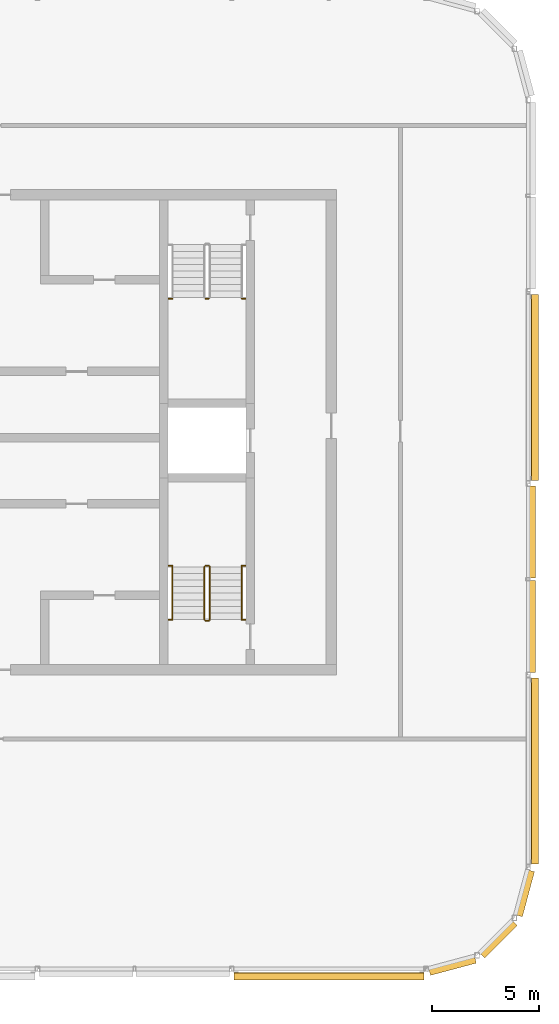
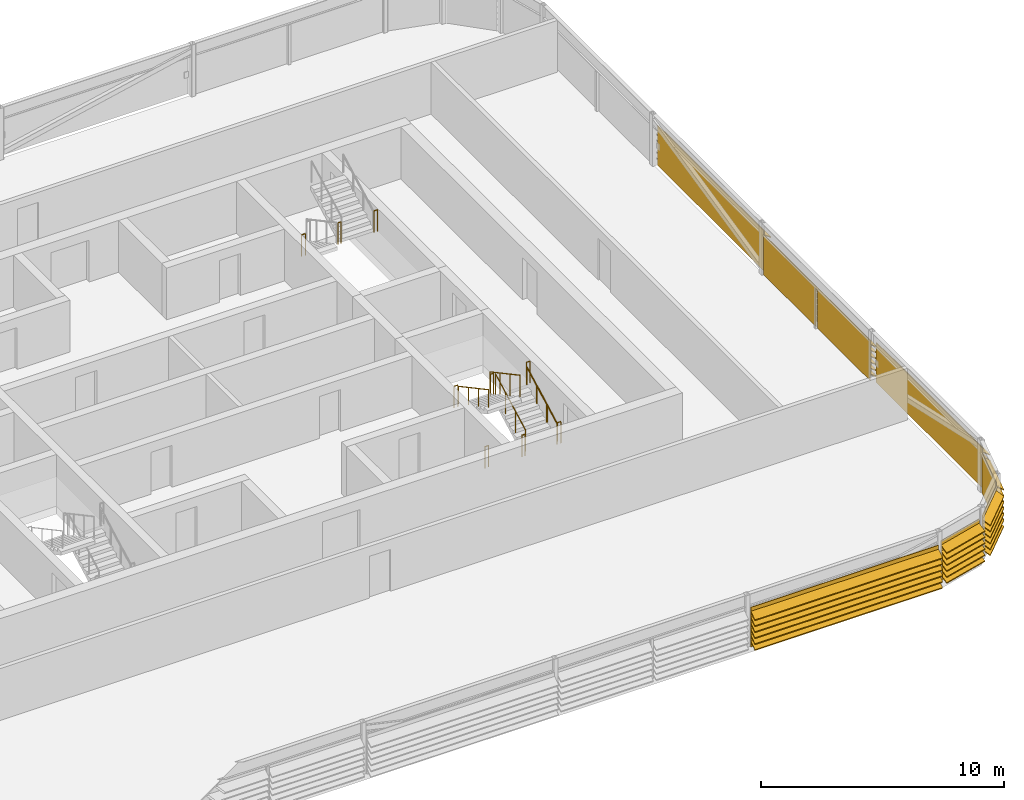
# One storey, part 25 of 27: 13 railings, 8 shading devices.
"""IFC4 building model written with IfcOpenShell, lengths in metres."""

from ifc_helpers import new_model, si_unit, direction, frame, origin, origin_2d, place, context, subcontext, project, spatial, polyline, circle, outline, extrude, material, type_object, element, save


model = new_model("IFC4")

# Units and contexts
model_context = context("Model", 3, precision=1e-05, world=origin(), true_north=direction((0.0, 1.0)))
body_context = subcontext(model_context, "Body", "Model", "MODEL_VIEW")
ifc_project = project(units=[si_unit("LENGTHUNIT", "METRE"), si_unit("AREAUNIT", "SQUARE_METRE"), si_unit("VOLUMEUNIT", "CUBIC_METRE"), si_unit("PLANEANGLEUNIT", "RADIAN"), si_unit("MASSUNIT", "GRAM", prefix="KILO")], contexts=[model_context])

# Site, building, storey
site_placement = place(None, origin())
site = spatial("IfcSite", under=ifc_project, at=site_placement, CompositionType="ELEMENT")
building_placement = place(site_placement, origin())
building = spatial("IfcBuilding", under=site, at=building_placement, Name="Madar Terraces", CompositionType="ELEMENT")
storey_placement = place(building_placement, frame((0.0, 0.0, 314.300048828125)))
storey = spatial("IfcBuildingStorey", under=building, at=storey_placement, Name="L81", CompositionType="ELEMENT", Elevation=314.300048828125)

# Shading devices
ifc_material_1 = material(Name="Aluminium, black anodised", Category="aluminium")
shading_device_type = type_object("IfcShadingDeviceType", Name="Crown louvre bank", PredefinedType="USERDEFINED", material=ifc_material_1)
shading_device_1_placement = place(storey_placement, frame((42.58154296875, 1.199951171875, 0.0), z_axis=(1.0, 0.0, 0.0), x_axis=(0.0, 1.0, 0.0)))
element("IfcShadingDevice", 1, at=shading_device_1_placement, inside=storey, type_object=shading_device_type, Name="LOUVRE bank L81 5.1", ObjectType="LOUVRE", PredefinedType="USERDEFINED", context=body_context, shape_type="SweptSolid", body=[
    extrude(outline(polyline([(-0.156982421875, 0.0), (-0.18701171875, 0.0), (-0.18701171875, 0.24951171875), (-0.5146484375, 0.02001953125), (-0.5146484375, 0.06884765625), (-0.18701171875, 0.29833984375), (-0.18701171875, 0.54931640625), (-0.5146484375, 0.320068359375), (-0.5146484375, 0.368896484375), (-0.18701171875, 0.59814453125), (-0.18701171875, 0.849365234375), (-0.5146484375, 0.6201171875), (-0.5146484375, 0.6689453125), (-0.18701171875, 0.898193359375), (-0.18701171875, 1.1494140625), (-0.5146484375, 0.919921875), (-0.5146484375, 0.96875), (-0.18701171875, 1.1982421875), (-0.18701171875, 1.449462890625), (-0.5146484375, 1.219970703125), (-0.5146484375, 1.268798828125), (-0.18701171875, 1.498291015625), (-0.18701171875, 1.74951171875), (-0.5146484375, 1.52001953125), (-0.5146484375, 1.56884765625), (-0.18701171875, 1.79833984375), (-0.18701171875, 1.998046875), (-0.156982421875, 1.998046875), (-0.156982421875, 0.0)])), origin(), (0.0, 0.0, 1.0), 8.916748046875),
])
shading_device_2_placement = place(storey_placement, frame((51.7265625, 1.23388671875, 0.0), z_axis=(0.965935304808, 0.258783668197, 0.0), x_axis=(-0.258783668197, 0.965935304808, 0.0)))
element("IfcShadingDevice", 2, at=shading_device_2_placement, inside=storey, type_object=shading_device_type, Name="LOUVRE bank L81 6.1", ObjectType="LOUVRE", PredefinedType="USERDEFINED", context=body_context, shape_type="SweptSolid", body=[
    extrude(outline(polyline([(0.014892578125, 0.0), (-0.014892578125, 0.0), (-0.014892578125, 0.24951171875), (-0.3427734375, 0.02001953125), (-0.3427734375, 0.06884765625), (-0.014892578125, 0.29833984375), (-0.014892578125, 0.54931640625), (-0.3427734375, 0.320068359375), (-0.3427734375, 0.368896484375), (-0.014892578125, 0.59814453125), (-0.014892578125, 0.849365234375), (-0.3427734375, 0.6201171875), (-0.3427734375, 0.6689453125), (-0.014892578125, 0.898193359375), (-0.014892578125, 1.1494140625), (-0.3427734375, 0.919921875), (-0.3427734375, 0.96875), (-0.014892578125, 1.1982421875), (-0.014892578125, 1.449462890625), (-0.3427734375, 1.219970703125), (-0.3427734375, 1.268798828125), (-0.014892578125, 1.498291015625), (-0.014892578125, 1.74951171875), (-0.3427734375, 1.52001953125), (-0.3427734375, 1.56884765625), (-0.014892578125, 1.79833984375), (-0.014892578125, 1.998046875), (0.014892578125, 1.998046875), (0.014892578125, 0.0)])), origin(), (0.0, 0.0, 1.0), 2.22265625),
])
shading_device_3_placement = place(storey_placement, frame((54.1142578125, 1.957275390625, 0.0), z_axis=(0.707106781187, 0.707106781187, 0.0), x_axis=(-0.707106781187, 0.707106781187, 0.0)))
element("IfcShadingDevice", 3, at=shading_device_3_placement, inside=storey, type_object=shading_device_type, Name="LOUVRE bank L81 7.1", ObjectType="LOUVRE", PredefinedType="USERDEFINED", context=body_context, shape_type="SweptSolid", body=[
    extrude(outline(polyline([(0.014892578125, 0.0), (-0.014892578125, 0.0), (-0.014892578125, 0.24951171875), (-0.3427734375, 0.02001953125), (-0.3427734375, 0.06884765625), (-0.014892578125, 0.29833984375), (-0.014892578125, 0.54931640625), (-0.3427734375, 0.320068359375), (-0.3427734375, 0.368896484375), (-0.014892578125, 0.59814453125), (-0.014892578125, 0.849365234375), (-0.3427734375, 0.6201171875), (-0.3427734375, 0.6689453125), (-0.014892578125, 0.898193359375), (-0.014892578125, 1.1494140625), (-0.3427734375, 0.919921875), (-0.3427734375, 0.96875), (-0.014892578125, 1.1982421875), (-0.014892578125, 1.449462890625), (-0.3427734375, 1.219970703125), (-0.3427734375, 1.268798828125), (-0.014892578125, 1.498291015625), (-0.014892578125, 1.74951171875), (-0.3427734375, 1.52001953125), (-0.3427734375, 1.56884765625), (-0.014892578125, 1.79833984375), (-0.014892578125, 1.998046875), (0.014892578125, 1.998046875), (0.014892578125, 0.0)])), origin(), (0.0, 0.0, 1.0), 2.161376953125),
])
shading_device_4_placement = place(storey_placement, frame((55.79541015625, 3.743896484375, 0.0), z_axis=(0.258788169352, 0.965934098893, 0.0), x_axis=(-0.965934098893, 0.258788169352, 0.0)))
element("IfcShadingDevice", 4, at=shading_device_4_placement, inside=storey, type_object=shading_device_type, Name="LOUVRE bank L81 8.1", ObjectType="LOUVRE", PredefinedType="USERDEFINED", context=body_context, shape_type="SweptSolid", body=[
    extrude(outline(polyline([(0.014892578125, 0.0), (-0.014892578125, 0.0), (-0.014892578125, 0.24951171875), (-0.3427734375, 0.02001953125), (-0.3427734375, 0.06884765625), (-0.014892578125, 0.29833984375), (-0.014892578125, 0.54931640625), (-0.3427734375, 0.320068359375), (-0.3427734375, 0.368896484375), (-0.014892578125, 0.59814453125), (-0.014892578125, 0.849365234375), (-0.3427734375, 0.6201171875), (-0.3427734375, 0.6689453125), (-0.014892578125, 0.898193359375), (-0.014892578125, 1.1494140625), (-0.3427734375, 0.919921875), (-0.3427734375, 0.96875), (-0.014892578125, 1.1982421875), (-0.014892578125, 1.449462890625), (-0.3427734375, 1.219970703125), (-0.3427734375, 1.268798828125), (-0.014892578125, 1.498291015625), (-0.014892578125, 1.74951171875), (-0.3427734375, 1.52001953125), (-0.3427734375, 1.56884765625), (-0.014892578125, 1.79833984375), (-0.014892578125, 1.998046875), (0.014892578125, 1.998046875), (0.014892578125, 0.0)])), origin(), (0.0, 0.0, 1.0), 2.186767578125),
])
shading_device_5_placement = place(storey_placement, frame((56.39990234375, 6.126953125, 0.0), z_axis=(0.0, 1.0, 0.0), x_axis=(-1.0, 0.0, 0.0)))
element("IfcShadingDevice", 5, at=shading_device_5_placement, inside=storey, type_object=shading_device_type, Name="LOUVRE bank L81 9.1", ObjectType="LOUVRE", PredefinedType="USERDEFINED", context=body_context, shape_type="SweptSolid", body=[
    extrude(outline(polyline([(-0.131591796875, 0.0), (-0.16162109375, 0.0), (-0.16162109375, 0.24951171875), (-0.4892578125, 0.02001953125), (-0.4892578125, 0.06884765625), (-0.16162109375, 0.29833984375), (-0.16162109375, 0.54931640625), (-0.4892578125, 0.320068359375), (-0.4892578125, 0.368896484375), (-0.16162109375, 0.59814453125), (-0.16162109375, 0.849365234375), (-0.4892578125, 0.6201171875), (-0.4892578125, 0.6689453125), (-0.16162109375, 0.898193359375), (-0.16162109375, 1.1494140625), (-0.4892578125, 0.919921875), (-0.4892578125, 0.96875), (-0.16162109375, 1.1982421875), (-0.16162109375, 1.449462890625), (-0.4892578125, 1.219970703125), (-0.4892578125, 1.268798828125), (-0.16162109375, 1.498291015625), (-0.16162109375, 1.74951171875), (-0.4892578125, 1.52001953125), (-0.4892578125, 1.56884765625), (-0.16162109375, 1.79833984375), (-0.16162109375, 1.998046875), (-0.131591796875, 1.998046875), (-0.131591796875, 0.0)])), origin(), (0.0, 0.0, 1.0), 8.74609375),
])
for number, where, z_axis, x_axis, name in (
    (6, (56.39990234375, 15.126953125, 0.0), (0.0, 1.0, 0.0), (-1.0, 0.0, 0.0), "LOUVRE bank L81 10.1"),
    (7, (56.39990234375, 19.5634765625, 0.0), (0.0, 1.0, 0.0), (-1.0, 0.0, 0.0), "LOUVRE bank L81 10.2"),
):
    element("IfcShadingDevice", number, at=place(storey_placement, frame(where, z_axis=z_axis, x_axis=x_axis)), inside=storey, type_object=shading_device_type, Name=name, ObjectType="LOUVRE", PredefinedType="USERDEFINED", context=body_context, shape_type="SweptSolid", body=[
        extrude(outline(polyline([(0.014892578125, 0.0), (-0.014892578125, 0.0), (-0.014892578125, 0.24951171875), (-0.3427734375, 0.02001953125), (-0.3427734375, 0.06884765625), (-0.014892578125, 0.29833984375), (-0.014892578125, 0.54931640625), (-0.3427734375, 0.320068359375), (-0.3427734375, 0.368896484375), (-0.014892578125, 0.59814453125), (-0.014892578125, 0.849365234375), (-0.3427734375, 0.6201171875), (-0.3427734375, 0.6689453125), (-0.014892578125, 0.898193359375), (-0.014892578125, 1.1494140625), (-0.3427734375, 0.919921875), (-0.3427734375, 0.96875), (-0.014892578125, 1.1982421875), (-0.014892578125, 1.449462890625), (-0.3427734375, 1.219970703125), (-0.3427734375, 1.268798828125), (-0.014892578125, 1.498291015625), (-0.014892578125, 1.74951171875), (-0.3427734375, 1.52001953125), (-0.3427734375, 1.56884765625), (-0.014892578125, 1.79833984375), (-0.014892578125, 1.998046875), (0.014892578125, 1.998046875), (0.014892578125, 0.0)])), origin(), (0.0, 0.0, 1.0), 4.3095703125),
    ])
shading_device_6_placement = place(storey_placement, frame((56.39990234375, 24.126953125, 0.0), z_axis=(0.0, 1.0, 0.0), x_axis=(-1.0, 0.0, 0.0)))
element("IfcShadingDevice", 8, at=shading_device_6_placement, inside=storey, type_object=shading_device_type, Name="LOUVRE bank L81 11.1", ObjectType="LOUVRE", PredefinedType="USERDEFINED", context=body_context, shape_type="SweptSolid", body=[
    extrude(outline(polyline([(-0.131591796875, 0.0), (-0.16162109375, 0.0), (-0.16162109375, 0.24951171875), (-0.4892578125, 0.02001953125), (-0.4892578125, 0.06884765625), (-0.16162109375, 0.29833984375), (-0.16162109375, 0.54931640625), (-0.4892578125, 0.320068359375), (-0.4892578125, 0.368896484375), (-0.16162109375, 0.59814453125), (-0.16162109375, 0.849365234375), (-0.4892578125, 0.6201171875), (-0.4892578125, 0.6689453125), (-0.16162109375, 0.898193359375), (-0.16162109375, 1.1494140625), (-0.4892578125, 0.919921875), (-0.4892578125, 0.96875), (-0.16162109375, 1.1982421875), (-0.16162109375, 1.449462890625), (-0.4892578125, 1.219970703125), (-0.4892578125, 1.268798828125), (-0.16162109375, 1.498291015625), (-0.16162109375, 1.74951171875), (-0.4892578125, 1.52001953125), (-0.4892578125, 1.56884765625), (-0.16162109375, 1.79833984375), (-0.16162109375, 1.998046875), (-0.131591796875, 1.998046875), (-0.131591796875, 0.0)])), origin(), (0.0, 0.0, 1.0), 8.74609375),
])

# Railings
ifc_material_2 = material(Name="Stainless steel railing", Category="steel")
railing_type_1 = type_object("IfcRailingType", Name="Stair guard 1100", PredefinedType="GUARDRAIL", material=ifc_material_2)
railing_1_placement = place(storey_placement, frame((41.25, 32.669921875, 1.5)))
element("IfcRailing", 9, at=railing_1_placement, inside=storey, type_object=railing_type_1, Name="L81 ST2 stair guard 2", PredefinedType="GUARDRAIL", context=body_context, shape_type="SweptSolid", body=[
    extrude(circle(Radius=0.02392578125, at=origin_2d()), frame((0.0, 0.0, 1.076171875), z_axis=(1.0, 0.0, 0.0), x_axis=(0.0, 1.0, 0.0)), (0.0, 0.0, 1.0), 0.14990234375),
    extrude(circle(Radius=0.02099609375, at=origin_2d()), origin(), (0.0, 0.0, 1.0), 1.052001953125),
    extrude(circle(Radius=0.02099609375, at=origin_2d()), frame((0.14990234375, 0.0, 0.0)), (0.0, 0.0, 1.0), 1.052001953125),
])
railing_2_placement = place(storey_placement, frame((41.449951171875, 17.60009765625, 0.16650390625)))
element("IfcRailing", 10, at=railing_2_placement, inside=storey, type_object=railing_type_1, Name="L81 ST3 stair guard 1", PredefinedType="GUARDRAIL", context=body_context, shape_type="SweptSolid", body=[
    extrude(circle(Radius=0.02392578125, at=origin_2d()), frame((0.0, 0.0, 1.076171875), z_axis=(0.0, 0.880749358647, 0.473582693141), x_axis=(-1.0, 0.0, 0.0)), (0.0, 0.0, 1.0), 2.815673828125),
    extrude(circle(Radius=0.02099609375, at=origin_2d()), origin(), (0.0, 0.0, 1.0), 1.052001953125),
    extrude(circle(Radius=0.02099609375, at=origin_2d()), frame((0.0, 0.82666015625, 0.444580078125)), (0.0, 0.0, 1.0), 1.052001953125),
    extrude(circle(Radius=0.02099609375, at=origin_2d()), frame((0.0, 1.6533203125, 0.888916015625)), (0.0, 0.0, 1.0), 1.052001953125),
    extrude(circle(Radius=0.02099609375, at=origin_2d()), frame((0.0, 2.47998046875, 1.33349609375)), (0.0, 0.0, 1.0), 1.052001953125),
])
railing_3_placement = place(storey_placement, frame((41.39990234375, 20.1298828125, 1.5)))
element("IfcRailing", 11, at=railing_3_placement, inside=storey, type_object=railing_type_1, Name="L81 ST3 stair guard 2", PredefinedType="GUARDRAIL", context=body_context, shape_type="SweptSolid", body=[
    extrude(circle(Radius=0.02392578125, at=origin_2d()), frame((0.0, 0.0, 1.076171875), z_axis=(-1.0, 0.0, 0.0), x_axis=(0.0, -1.0, 0.0)), (0.0, 0.0, 1.0), 0.14990234375),
    extrude(circle(Radius=0.02099609375, at=origin_2d()), origin(), (0.0, 0.0, 1.0), 1.052001953125),
    extrude(circle(Radius=0.02099609375, at=origin_2d()), frame((-0.14990234375, 0.0, 0.0)), (0.0, 0.0, 1.0), 1.052001953125),
])
railing_4_placement = place(storey_placement, frame((41.199951171875, 20.080078125, 1.66650390625)))
element("IfcRailing", 12, at=railing_4_placement, inside=storey, type_object=railing_type_1, Name="L81 ST3 stair guard 3", PredefinedType="GUARDRAIL", context=body_context, shape_type="SweptSolid", body=[
    extrude(circle(Radius=0.02392578125, at=origin_2d()), frame((0.0, 0.0, 1.076171875), z_axis=(0.0, -0.880749358647, 0.473582693141), x_axis=(1.0, 0.0, 0.0)), (0.0, 0.0, 1.0), 2.815673828125),
    extrude(circle(Radius=0.02099609375, at=origin_2d()), origin(), (0.0, 0.0, 1.0), 1.052001953125),
    extrude(circle(Radius=0.02099609375, at=origin_2d()), frame((0.0, -0.82666015625, 0.444580078125)), (0.0, 0.0, 1.0), 1.052001953125),
    extrude(circle(Radius=0.02099609375, at=origin_2d()), frame((0.0, -1.6533203125, 0.888916015625)), (0.0, 0.0, 1.0), 1.052001953125),
    extrude(circle(Radius=0.02099609375, at=origin_2d()), frame((0.0, -2.47998046875, 1.33349609375)), (0.0, 0.0, 1.0), 1.052001953125),
])
railing_5_placement = place(storey_placement, frame((41.39990234375, 17.550048828125, 0.0)))
element("IfcRailing", 13, at=railing_5_placement, inside=storey, type_object=railing_type_1, Name="L81 ST3 stair guard 4", PredefinedType="GUARDRAIL", context=body_context, shape_type="SweptSolid", body=[
    extrude(circle(Radius=0.02392578125, at=origin_2d()), frame((0.0, 0.0, 1.076171875), z_axis=(-1.0, 0.0, 0.0), x_axis=(0.0, -1.0, 0.0)), (0.0, 0.0, 1.0), 0.14990234375),
    extrude(circle(Radius=0.02099609375, at=origin_2d()), origin(), (0.0, 0.0, 1.0), 1.052001953125),
    extrude(circle(Radius=0.02099609375, at=origin_2d()), frame((-0.14990234375, 0.0, 0.0)), (0.0, 0.0, 1.0), 1.052001953125),
])
for number, where, name in (
    (14, (39.52001953125, 32.669921875, 1.5), "L81 stair guard seat 1"),
    (15, (42.949951171875, 32.669921875, 1.5), "L81 stair guard seat 2"),
    (16, (39.52001953125, 20.1298828125, 1.5), "L81 stair guard seat 1"),
    (17, (42.949951171875, 20.1298828125, 1.5), "L81 stair guard seat 2"),
    (18, (39.52001953125, 17.60009765625, 0.0), "L81 stair guard floor 1"),
    (19, (42.949951171875, 17.60009765625, 0.0), "L81 stair guard floor 2"),
):
    element("IfcRailing", number, at=place(storey_placement, frame(where)), inside=storey, type_object=railing_type_1, Name=name, PredefinedType="GUARDRAIL", context=body_context, shape_type="SweptSolid", body=[
        extrude(circle(Radius=0.02392578125, at=origin_2d()), frame((0.0, 0.0, 1.076171875), z_axis=(1.0, 0.0, 0.0), x_axis=(0.0, 1.0, 0.0)), (0.0, 0.0, 1.0), 0.179931640625),
        extrude(circle(Radius=0.02099609375, at=origin_2d()), origin(), (0.0, 0.0, 1.0), 1.052001953125),
        extrude(circle(Radius=0.02099609375, at=origin_2d()), frame((0.179931640625, 0.0, 0.0)), (0.0, 0.0, 1.0), 1.052001953125),
    ])
ifc_material_3 = material(Name="Stainless steel railing", Category="steel")
railing_type_2 = type_object("IfcRailingType", Name="Stair handrail 900", PredefinedType="HANDRAIL", material=ifc_material_3)
railing_6_placement = place(storey_placement, frame((42.949951171875, 17.60009765625, 0.16650390625)))
element("IfcRailing", 20, at=railing_6_placement, inside=storey, type_object=railing_type_2, Name="L81 ST3 stair handrail 1", PredefinedType="HANDRAIL", context=body_context, shape_type="SweptSolid", body=[
    extrude(circle(Radius=0.02392578125, at=origin_2d()), frame((0.0, 0.0, 0.8759765625), z_axis=(0.0, 0.880749358647, 0.473582693141), x_axis=(-1.0, 0.0, 0.0)), (0.0, 0.0, 1.0), 2.815673828125),
    extrude(circle(Radius=0.02099609375, at=origin_2d()), origin(), (0.0, 0.0, 1.0), 0.851806640625),
    extrude(circle(Radius=0.02099609375, at=origin_2d()), frame((0.0, 0.82666015625, 0.444580078125)), (0.0, 0.0, 1.0), 0.851806640625),
    extrude(circle(Radius=0.02099609375, at=origin_2d()), frame((0.0, 1.6533203125, 0.888916015625)), (0.0, 0.0, 1.0), 0.851806640625),
    extrude(circle(Radius=0.02099609375, at=origin_2d()), frame((0.0, 2.47998046875, 1.33349609375)), (0.0, 0.0, 1.0), 0.851806640625),
])
railing_7_placement = place(storey_placement, frame((39.699951171875, 20.080078125, 1.66650390625)))
element("IfcRailing", 21, at=railing_7_placement, inside=storey, type_object=railing_type_2, Name="L81 ST3 stair handrail 2", PredefinedType="HANDRAIL", context=body_context, shape_type="SweptSolid", body=[
    extrude(circle(Radius=0.02392578125, at=origin_2d()), frame((0.0, 0.0, 0.8759765625), z_axis=(0.0, -0.880749358647, 0.473582693141), x_axis=(1.0, 0.0, 0.0)), (0.0, 0.0, 1.0), 2.815673828125),
    extrude(circle(Radius=0.02099609375, at=origin_2d()), origin(), (0.0, 0.0, 1.0), 0.851806640625),
    extrude(circle(Radius=0.02099609375, at=origin_2d()), frame((0.0, -0.82666015625, 0.444580078125)), (0.0, 0.0, 1.0), 0.851806640625),
    extrude(circle(Radius=0.02099609375, at=origin_2d()), frame((0.0, -1.6533203125, 0.888916015625)), (0.0, 0.0, 1.0), 0.851806640625),
    extrude(circle(Radius=0.02099609375, at=origin_2d()), frame((0.0, -2.47998046875, 1.33349609375)), (0.0, 0.0, 1.0), 0.851806640625),
])

save(model, "model.ifc")
